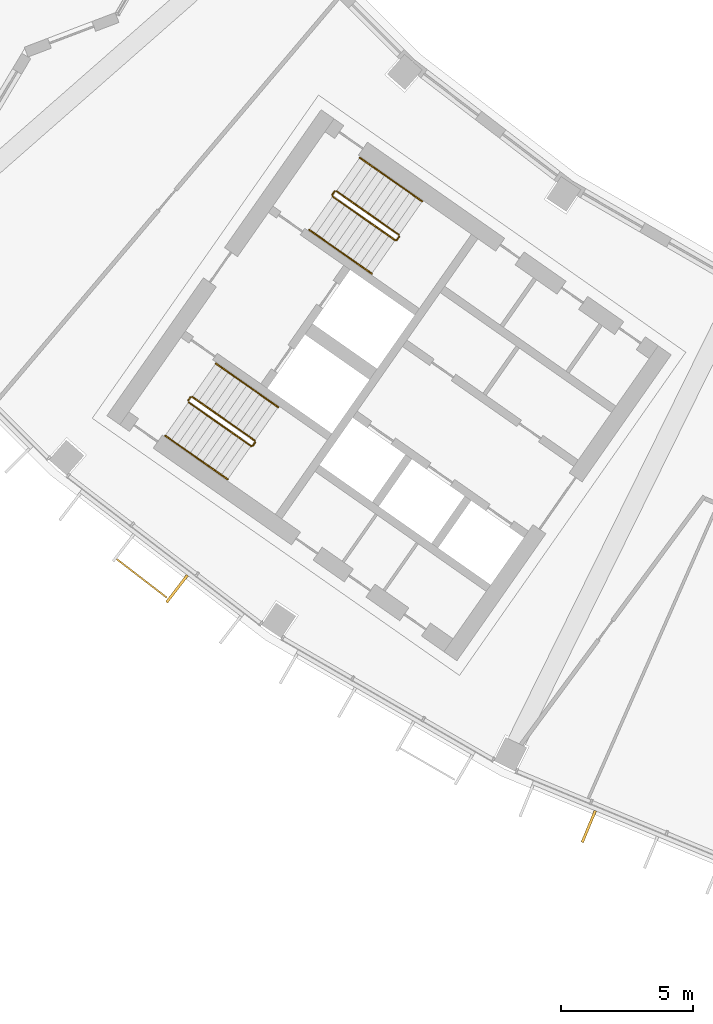
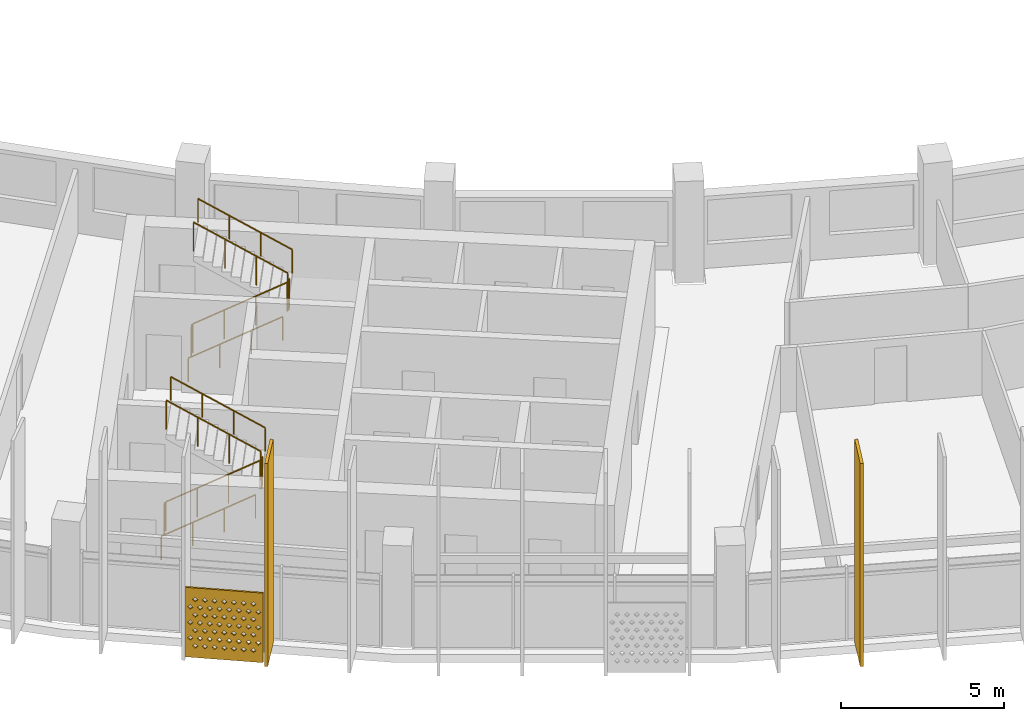
# One storey, part 22 of 29: 10 railings, 3 shading devices.
"""IFC4 building model written with IfcOpenShell, lengths in metres."""

from ifc_helpers import new_model, si_unit, direction, frame, origin, origin_2d, place, context, subcontext, project, spatial, polyline, rectangle, circle, outline, extrude, material, material_profile, profile_set, type_object, element, save


model = new_model("IFC4")

# Units and contexts
model_context = context("Model", 3, precision=1e-05, world=origin(), true_north=direction((0.0, 1.0)))
body_context = subcontext(model_context, "Body", "Model", "MODEL_VIEW")
ifc_project = project(units=[si_unit("LENGTHUNIT", "METRE"), si_unit("AREAUNIT", "SQUARE_METRE"), si_unit("VOLUMEUNIT", "CUBIC_METRE"), si_unit("PLANEANGLEUNIT", "RADIAN"), si_unit("MASSUNIT", "GRAM", prefix="KILO")], contexts=[model_context])

# Site, building, storey
site_placement = place(None, origin())
site = spatial("IfcSite", under=ifc_project, at=site_placement, CompositionType="ELEMENT")
building_placement = place(site_placement, origin())
building = spatial("IfcBuilding", under=site, at=building_placement, Name="Qamariyya Broadcast Tower", CompositionType="ELEMENT")
storey_placement = place(building_placement, frame((0.0, 0.0, 258.10009765625)))
storey = spatial("IfcBuildingStorey", under=building, at=storey_placement, Name="L62", CompositionType="ELEMENT", Elevation=258.10009765625)

# Shading device
ifc_material_1 = material(Name="Perforated glazed terracotta", Category="masonry")
ifc_material_profile_1 = material_profile(ifc_material_1, outline(polyline([(-1.199951171875, -1.300048828125), (1.199951171875, -1.300048828125), (1.199951171875, 1.300048828125), (-1.199951171875, 1.300048828125), (-1.199951171875, -1.300048828125)]), holes=[polyline([(-0.81494140625, -0.86669921875), (-0.89990234375, -0.78173828125), (-0.985107421875, -0.86669921875), (-0.89990234375, -0.95166015625), (-0.81494140625, -0.86669921875)]), polyline([(-0.514892578125, -0.86669921875), (-0.60009765625, -0.78173828125), (-0.68505859375, -0.86669921875), (-0.60009765625, -0.95166015625), (-0.514892578125, -0.86669921875)]), polyline([(-0.215087890625, -0.86669921875), (-0.300048828125, -0.78173828125), (-0.385009765625, -0.86669921875), (-0.300048828125, -0.95166015625), (-0.215087890625, -0.86669921875)]), polyline([(0.0849609375, -0.86669921875), (0.0, -0.78173828125), (-0.0849609375, -0.86669921875), (0.0, -0.95166015625), (0.0849609375, -0.86669921875)]), polyline([(0.385009765625, -0.86669921875), (0.300048828125, -0.78173828125), (0.215087890625, -0.86669921875), (0.300048828125, -0.95166015625), (0.385009765625, -0.86669921875)]), polyline([(0.68505859375, -0.86669921875), (0.60009765625, -0.78173828125), (0.514892578125, -0.86669921875), (0.60009765625, -0.95166015625), (0.68505859375, -0.86669921875)]), polyline([(0.985107421875, -0.86669921875), (0.89990234375, -0.78173828125), (0.81494140625, -0.86669921875), (0.89990234375, -0.95166015625), (0.985107421875, -0.86669921875)]), polyline([(-0.965087890625, -0.577880859375), (-1.050048828125, -0.49267578125), (-1.135009765625, -0.577880859375), (-1.050048828125, -0.662841796875), (-0.965087890625, -0.577880859375)]), polyline([(-0.6650390625, -0.577880859375), (-0.75, -0.49267578125), (-0.8349609375, -0.577880859375), (-0.75, -0.662841796875), (-0.6650390625, -0.577880859375)]), polyline([(-0.364990234375, -0.577880859375), (-0.449951171875, -0.49267578125), (-0.534912109375, -0.577880859375), (-0.449951171875, -0.662841796875), (-0.364990234375, -0.577880859375)]), polyline([(-0.06494140625, -0.577880859375), (-0.14990234375, -0.49267578125), (-0.235107421875, -0.577880859375), (-0.14990234375, -0.662841796875), (-0.06494140625, -0.577880859375)]), polyline([(0.235107421875, -0.577880859375), (0.14990234375, -0.49267578125), (0.06494140625, -0.577880859375), (0.14990234375, -0.662841796875), (0.235107421875, -0.577880859375)]), polyline([(0.534912109375, -0.577880859375), (0.449951171875, -0.49267578125), (0.364990234375, -0.577880859375), (0.449951171875, -0.662841796875), (0.534912109375, -0.577880859375)]), polyline([(0.8349609375, -0.577880859375), (0.75, -0.49267578125), (0.6650390625, -0.577880859375), (0.75, -0.662841796875), (0.8349609375, -0.577880859375)]), polyline([(1.135009765625, -0.577880859375), (1.050048828125, -0.49267578125), (0.965087890625, -0.577880859375), (1.050048828125, -0.662841796875), (1.135009765625, -0.577880859375)]), polyline([(-0.81494140625, -0.288818359375), (-0.89990234375, -0.203857421875), (-0.985107421875, -0.288818359375), (-0.89990234375, -0.373779296875), (-0.81494140625, -0.288818359375)]), polyline([(-0.514892578125, -0.288818359375), (-0.60009765625, -0.203857421875), (-0.68505859375, -0.288818359375), (-0.60009765625, -0.373779296875), (-0.514892578125, -0.288818359375)]), polyline([(-0.215087890625, -0.288818359375), (-0.300048828125, -0.203857421875), (-0.385009765625, -0.288818359375), (-0.300048828125, -0.373779296875), (-0.215087890625, -0.288818359375)]), polyline([(0.0849609375, -0.288818359375), (0.0, -0.203857421875), (-0.0849609375, -0.288818359375), (0.0, -0.373779296875), (0.0849609375, -0.288818359375)]), polyline([(0.385009765625, -0.288818359375), (0.300048828125, -0.203857421875), (0.215087890625, -0.288818359375), (0.300048828125, -0.373779296875), (0.385009765625, -0.288818359375)]), polyline([(0.68505859375, -0.288818359375), (0.60009765625, -0.203857421875), (0.514892578125, -0.288818359375), (0.60009765625, -0.373779296875), (0.68505859375, -0.288818359375)]), polyline([(0.985107421875, -0.288818359375), (0.89990234375, -0.203857421875), (0.81494140625, -0.288818359375), (0.89990234375, -0.373779296875), (0.985107421875, -0.288818359375)]), polyline([(-0.965087890625, 0.0), (-1.050048828125, 0.0849609375), (-1.135009765625, 0.0), (-1.050048828125, -0.0849609375), (-0.965087890625, 0.0)]), polyline([(-0.6650390625, 0.0), (-0.75, 0.0849609375), (-0.8349609375, 0.0), (-0.75, -0.0849609375), (-0.6650390625, 0.0)]), polyline([(-0.364990234375, 0.0), (-0.449951171875, 0.0849609375), (-0.534912109375, 0.0), (-0.449951171875, -0.0849609375), (-0.364990234375, 0.0)]), polyline([(-0.06494140625, 0.0), (-0.14990234375, 0.0849609375), (-0.235107421875, 0.0), (-0.14990234375, -0.0849609375), (-0.06494140625, 0.0)]), polyline([(0.235107421875, 0.0), (0.14990234375, 0.0849609375), (0.06494140625, 0.0), (0.14990234375, -0.0849609375), (0.235107421875, 0.0)]), polyline([(0.534912109375, 0.0), (0.449951171875, 0.0849609375), (0.364990234375, 0.0), (0.449951171875, -0.0849609375), (0.534912109375, 0.0)]), polyline([(0.8349609375, 0.0), (0.75, 0.0849609375), (0.6650390625, 0.0), (0.75, -0.0849609375), (0.8349609375, 0.0)]), polyline([(1.135009765625, 0.0), (1.050048828125, 0.0849609375), (0.965087890625, 0.0), (1.050048828125, -0.0849609375), (1.135009765625, 0.0)]), polyline([(-0.81494140625, 0.288818359375), (-0.89990234375, 0.373779296875), (-0.985107421875, 0.288818359375), (-0.89990234375, 0.203857421875), (-0.81494140625, 0.288818359375)]), polyline([(-0.514892578125, 0.288818359375), (-0.60009765625, 0.373779296875), (-0.68505859375, 0.288818359375), (-0.60009765625, 0.203857421875), (-0.514892578125, 0.288818359375)]), polyline([(-0.215087890625, 0.288818359375), (-0.300048828125, 0.373779296875), (-0.385009765625, 0.288818359375), (-0.300048828125, 0.203857421875), (-0.215087890625, 0.288818359375)]), polyline([(0.0849609375, 0.288818359375), (0.0, 0.373779296875), (-0.0849609375, 0.288818359375), (0.0, 0.203857421875), (0.0849609375, 0.288818359375)]), polyline([(0.385009765625, 0.288818359375), (0.300048828125, 0.373779296875), (0.215087890625, 0.288818359375), (0.300048828125, 0.203857421875), (0.385009765625, 0.288818359375)]), polyline([(0.68505859375, 0.288818359375), (0.60009765625, 0.373779296875), (0.514892578125, 0.288818359375), (0.60009765625, 0.203857421875), (0.68505859375, 0.288818359375)]), polyline([(0.985107421875, 0.288818359375), (0.89990234375, 0.373779296875), (0.81494140625, 0.288818359375), (0.89990234375, 0.203857421875), (0.985107421875, 0.288818359375)]), polyline([(-0.965087890625, 0.577880859375), (-1.050048828125, 0.662841796875), (-1.135009765625, 0.577880859375), (-1.050048828125, 0.49267578125), (-0.965087890625, 0.577880859375)]), polyline([(-0.6650390625, 0.577880859375), (-0.75, 0.662841796875), (-0.8349609375, 0.577880859375), (-0.75, 0.49267578125), (-0.6650390625, 0.577880859375)]), polyline([(-0.364990234375, 0.577880859375), (-0.449951171875, 0.662841796875), (-0.534912109375, 0.577880859375), (-0.449951171875, 0.49267578125), (-0.364990234375, 0.577880859375)]), polyline([(-0.06494140625, 0.577880859375), (-0.14990234375, 0.662841796875), (-0.235107421875, 0.577880859375), (-0.14990234375, 0.49267578125), (-0.06494140625, 0.577880859375)]), polyline([(0.235107421875, 0.577880859375), (0.14990234375, 0.662841796875), (0.06494140625, 0.577880859375), (0.14990234375, 0.49267578125), (0.235107421875, 0.577880859375)]), polyline([(0.534912109375, 0.577880859375), (0.449951171875, 0.662841796875), (0.364990234375, 0.577880859375), (0.449951171875, 0.49267578125), (0.534912109375, 0.577880859375)]), polyline([(0.8349609375, 0.577880859375), (0.75, 0.662841796875), (0.6650390625, 0.577880859375), (0.75, 0.49267578125), (0.8349609375, 0.577880859375)]), polyline([(1.135009765625, 0.577880859375), (1.050048828125, 0.662841796875), (0.965087890625, 0.577880859375), (1.050048828125, 0.49267578125), (1.135009765625, 0.577880859375)]), polyline([(-0.81494140625, 0.86669921875), (-0.89990234375, 0.95166015625), (-0.985107421875, 0.86669921875), (-0.89990234375, 0.78173828125), (-0.81494140625, 0.86669921875)]), polyline([(-0.514892578125, 0.86669921875), (-0.60009765625, 0.95166015625), (-0.68505859375, 0.86669921875), (-0.60009765625, 0.78173828125), (-0.514892578125, 0.86669921875)]), polyline([(-0.215087890625, 0.86669921875), (-0.300048828125, 0.95166015625), (-0.385009765625, 0.86669921875), (-0.300048828125, 0.78173828125), (-0.215087890625, 0.86669921875)]), polyline([(0.0849609375, 0.86669921875), (0.0, 0.95166015625), (-0.0849609375, 0.86669921875), (0.0, 0.78173828125), (0.0849609375, 0.86669921875)]), polyline([(0.385009765625, 0.86669921875), (0.300048828125, 0.95166015625), (0.215087890625, 0.86669921875), (0.300048828125, 0.78173828125), (0.385009765625, 0.86669921875)]), polyline([(0.68505859375, 0.86669921875), (0.60009765625, 0.95166015625), (0.514892578125, 0.86669921875), (0.60009765625, 0.78173828125), (0.68505859375, 0.86669921875)]), polyline([(0.985107421875, 0.86669921875), (0.89990234375, 0.95166015625), (0.81494140625, 0.86669921875), (0.89990234375, 0.78173828125), (0.985107421875, 0.86669921875)])]))
ifc_profile_set_1 = profile_set([ifc_material_profile_1], Name="Perforated glazed terracotta")
shading_device_type_1 = type_object("IfcShadingDeviceType", Name="Perforated terracotta screen 2400 x 2600", PredefinedType="USERDEFINED", material=ifc_profile_set_1)
shading_device_placement = place(storey_placement, frame((-48.39208984375, -63.014892578125, 1.349853515625), z_axis=(-0.60971076085, -0.792623989105, 0.0), x_axis=(0.792623989105, -0.60971076085, 0.0)))
element("IfcShadingDevice", 1, at=shading_device_placement, inside=storey, type_object=shading_device_type_1, Name="e-scr-L62-02-1", ObjectType="SCREEN", PredefinedType="USERDEFINED", context=body_context, shape_type="SweptSolid", body=[
    extrude(outline(polyline([(-1.199951171875, -1.300048828125), (1.199951171875, -1.300048828125), (1.199951171875, 1.300048828125), (-1.199951171875, 1.300048828125), (-1.199951171875, -1.300048828125)]), holes=[polyline([(-0.81494140625, -0.86669921875), (-0.89990234375, -0.78173828125), (-0.985107421875, -0.86669921875), (-0.89990234375, -0.95166015625), (-0.81494140625, -0.86669921875)]), polyline([(-0.514892578125, -0.86669921875), (-0.60009765625, -0.78173828125), (-0.68505859375, -0.86669921875), (-0.60009765625, -0.95166015625), (-0.514892578125, -0.86669921875)]), polyline([(-0.215087890625, -0.86669921875), (-0.300048828125, -0.78173828125), (-0.385009765625, -0.86669921875), (-0.300048828125, -0.95166015625), (-0.215087890625, -0.86669921875)]), polyline([(0.0849609375, -0.86669921875), (0.0, -0.78173828125), (-0.0849609375, -0.86669921875), (0.0, -0.95166015625), (0.0849609375, -0.86669921875)]), polyline([(0.385009765625, -0.86669921875), (0.300048828125, -0.78173828125), (0.215087890625, -0.86669921875), (0.300048828125, -0.95166015625), (0.385009765625, -0.86669921875)]), polyline([(0.68505859375, -0.86669921875), (0.60009765625, -0.78173828125), (0.514892578125, -0.86669921875), (0.60009765625, -0.95166015625), (0.68505859375, -0.86669921875)]), polyline([(0.985107421875, -0.86669921875), (0.89990234375, -0.78173828125), (0.81494140625, -0.86669921875), (0.89990234375, -0.95166015625), (0.985107421875, -0.86669921875)]), polyline([(-0.965087890625, -0.577880859375), (-1.050048828125, -0.49267578125), (-1.135009765625, -0.577880859375), (-1.050048828125, -0.662841796875), (-0.965087890625, -0.577880859375)]), polyline([(-0.6650390625, -0.577880859375), (-0.75, -0.49267578125), (-0.8349609375, -0.577880859375), (-0.75, -0.662841796875), (-0.6650390625, -0.577880859375)]), polyline([(-0.364990234375, -0.577880859375), (-0.449951171875, -0.49267578125), (-0.534912109375, -0.577880859375), (-0.449951171875, -0.662841796875), (-0.364990234375, -0.577880859375)]), polyline([(-0.06494140625, -0.577880859375), (-0.14990234375, -0.49267578125), (-0.235107421875, -0.577880859375), (-0.14990234375, -0.662841796875), (-0.06494140625, -0.577880859375)]), polyline([(0.235107421875, -0.577880859375), (0.14990234375, -0.49267578125), (0.06494140625, -0.577880859375), (0.14990234375, -0.662841796875), (0.235107421875, -0.577880859375)]), polyline([(0.534912109375, -0.577880859375), (0.449951171875, -0.49267578125), (0.364990234375, -0.577880859375), (0.449951171875, -0.662841796875), (0.534912109375, -0.577880859375)]), polyline([(0.8349609375, -0.577880859375), (0.75, -0.49267578125), (0.6650390625, -0.577880859375), (0.75, -0.662841796875), (0.8349609375, -0.577880859375)]), polyline([(1.135009765625, -0.577880859375), (1.050048828125, -0.49267578125), (0.965087890625, -0.577880859375), (1.050048828125, -0.662841796875), (1.135009765625, -0.577880859375)]), polyline([(-0.81494140625, -0.288818359375), (-0.89990234375, -0.203857421875), (-0.985107421875, -0.288818359375), (-0.89990234375, -0.373779296875), (-0.81494140625, -0.288818359375)]), polyline([(-0.514892578125, -0.288818359375), (-0.60009765625, -0.203857421875), (-0.68505859375, -0.288818359375), (-0.60009765625, -0.373779296875), (-0.514892578125, -0.288818359375)]), polyline([(-0.215087890625, -0.288818359375), (-0.300048828125, -0.203857421875), (-0.385009765625, -0.288818359375), (-0.300048828125, -0.373779296875), (-0.215087890625, -0.288818359375)]), polyline([(0.0849609375, -0.288818359375), (0.0, -0.203857421875), (-0.0849609375, -0.288818359375), (0.0, -0.373779296875), (0.0849609375, -0.288818359375)]), polyline([(0.385009765625, -0.288818359375), (0.300048828125, -0.203857421875), (0.215087890625, -0.288818359375), (0.300048828125, -0.373779296875), (0.385009765625, -0.288818359375)]), polyline([(0.68505859375, -0.288818359375), (0.60009765625, -0.203857421875), (0.514892578125, -0.288818359375), (0.60009765625, -0.373779296875), (0.68505859375, -0.288818359375)]), polyline([(0.985107421875, -0.288818359375), (0.89990234375, -0.203857421875), (0.81494140625, -0.288818359375), (0.89990234375, -0.373779296875), (0.985107421875, -0.288818359375)]), polyline([(-0.965087890625, 0.0), (-1.050048828125, 0.0849609375), (-1.135009765625, 0.0), (-1.050048828125, -0.0849609375), (-0.965087890625, 0.0)]), polyline([(-0.6650390625, 0.0), (-0.75, 0.0849609375), (-0.8349609375, 0.0), (-0.75, -0.0849609375), (-0.6650390625, 0.0)]), polyline([(-0.364990234375, 0.0), (-0.449951171875, 0.0849609375), (-0.534912109375, 0.0), (-0.449951171875, -0.0849609375), (-0.364990234375, 0.0)]), polyline([(-0.06494140625, 0.0), (-0.14990234375, 0.0849609375), (-0.235107421875, 0.0), (-0.14990234375, -0.0849609375), (-0.06494140625, 0.0)]), polyline([(0.235107421875, 0.0), (0.14990234375, 0.0849609375), (0.06494140625, 0.0), (0.14990234375, -0.0849609375), (0.235107421875, 0.0)]), polyline([(0.534912109375, 0.0), (0.449951171875, 0.0849609375), (0.364990234375, 0.0), (0.449951171875, -0.0849609375), (0.534912109375, 0.0)]), polyline([(0.8349609375, 0.0), (0.75, 0.0849609375), (0.6650390625, 0.0), (0.75, -0.0849609375), (0.8349609375, 0.0)]), polyline([(1.135009765625, 0.0), (1.050048828125, 0.0849609375), (0.965087890625, 0.0), (1.050048828125, -0.0849609375), (1.135009765625, 0.0)]), polyline([(-0.81494140625, 0.288818359375), (-0.89990234375, 0.373779296875), (-0.985107421875, 0.288818359375), (-0.89990234375, 0.203857421875), (-0.81494140625, 0.288818359375)]), polyline([(-0.514892578125, 0.288818359375), (-0.60009765625, 0.373779296875), (-0.68505859375, 0.288818359375), (-0.60009765625, 0.203857421875), (-0.514892578125, 0.288818359375)]), polyline([(-0.215087890625, 0.288818359375), (-0.300048828125, 0.373779296875), (-0.385009765625, 0.288818359375), (-0.300048828125, 0.203857421875), (-0.215087890625, 0.288818359375)]), polyline([(0.0849609375, 0.288818359375), (0.0, 0.373779296875), (-0.0849609375, 0.288818359375), (0.0, 0.203857421875), (0.0849609375, 0.288818359375)]), polyline([(0.385009765625, 0.288818359375), (0.300048828125, 0.373779296875), (0.215087890625, 0.288818359375), (0.300048828125, 0.203857421875), (0.385009765625, 0.288818359375)]), polyline([(0.68505859375, 0.288818359375), (0.60009765625, 0.373779296875), (0.514892578125, 0.288818359375), (0.60009765625, 0.203857421875), (0.68505859375, 0.288818359375)]), polyline([(0.985107421875, 0.288818359375), (0.89990234375, 0.373779296875), (0.81494140625, 0.288818359375), (0.89990234375, 0.203857421875), (0.985107421875, 0.288818359375)]), polyline([(-0.965087890625, 0.577880859375), (-1.050048828125, 0.662841796875), (-1.135009765625, 0.577880859375), (-1.050048828125, 0.49267578125), (-0.965087890625, 0.577880859375)]), polyline([(-0.6650390625, 0.577880859375), (-0.75, 0.662841796875), (-0.8349609375, 0.577880859375), (-0.75, 0.49267578125), (-0.6650390625, 0.577880859375)]), polyline([(-0.364990234375, 0.577880859375), (-0.449951171875, 0.662841796875), (-0.534912109375, 0.577880859375), (-0.449951171875, 0.49267578125), (-0.364990234375, 0.577880859375)]), polyline([(-0.06494140625, 0.577880859375), (-0.14990234375, 0.662841796875), (-0.235107421875, 0.577880859375), (-0.14990234375, 0.49267578125), (-0.06494140625, 0.577880859375)]), polyline([(0.235107421875, 0.577880859375), (0.14990234375, 0.662841796875), (0.06494140625, 0.577880859375), (0.14990234375, 0.49267578125), (0.235107421875, 0.577880859375)]), polyline([(0.534912109375, 0.577880859375), (0.449951171875, 0.662841796875), (0.364990234375, 0.577880859375), (0.449951171875, 0.49267578125), (0.534912109375, 0.577880859375)]), polyline([(0.8349609375, 0.577880859375), (0.75, 0.662841796875), (0.6650390625, 0.577880859375), (0.75, 0.49267578125), (0.8349609375, 0.577880859375)]), polyline([(1.135009765625, 0.577880859375), (1.050048828125, 0.662841796875), (0.965087890625, 0.577880859375), (1.050048828125, 0.49267578125), (1.135009765625, 0.577880859375)]), polyline([(-0.81494140625, 0.86669921875), (-0.89990234375, 0.95166015625), (-0.985107421875, 0.86669921875), (-0.89990234375, 0.78173828125), (-0.81494140625, 0.86669921875)]), polyline([(-0.514892578125, 0.86669921875), (-0.60009765625, 0.95166015625), (-0.68505859375, 0.86669921875), (-0.60009765625, 0.78173828125), (-0.514892578125, 0.86669921875)]), polyline([(-0.215087890625, 0.86669921875), (-0.300048828125, 0.95166015625), (-0.385009765625, 0.86669921875), (-0.300048828125, 0.78173828125), (-0.215087890625, 0.86669921875)]), polyline([(0.0849609375, 0.86669921875), (0.0, 0.95166015625), (-0.0849609375, 0.86669921875), (0.0, 0.78173828125), (0.0849609375, 0.86669921875)]), polyline([(0.385009765625, 0.86669921875), (0.300048828125, 0.95166015625), (0.215087890625, 0.86669921875), (0.300048828125, 0.78173828125), (0.385009765625, 0.86669921875)]), polyline([(0.68505859375, 0.86669921875), (0.60009765625, 0.95166015625), (0.514892578125, 0.86669921875), (0.60009765625, 0.78173828125), (0.68505859375, 0.86669921875)]), polyline([(0.985107421875, 0.86669921875), (0.89990234375, 0.95166015625), (0.81494140625, 0.86669921875), (0.89990234375, 0.78173828125), (0.985107421875, 0.86669921875)])]), origin(), (0.0, 0.0, 1.0), 0.06005859375),
])

# Railings
ifc_material_2 = material(Name="Painted steel", Category="steel")
railing_type_1 = type_object("IfcRailingType", Name="Stair guard", PredefinedType="GUARDRAIL", material=ifc_material_2)
railing_1_placement = place(storey_placement, frame((-41.146728515625, -48.52490234375, 0.172607421875)))
element("IfcRailing", 2, at=railing_1_placement, inside=storey, type_object=railing_type_1, Name="L62 ST-W2 stair guard 1", PredefinedType="GUARDRAIL", context=body_context, shape_type="SweptSolid", body=[
    extrude(circle(Radius=0.02392578125, at=origin_2d()), frame((0.0, 0.0, 1.076171875), z_axis=(0.703770094002, -0.492783725636, 0.511734163933), x_axis=(0.573575343427, 0.819152809562, 0.0)), (0.0, 0.0, 1.0), 3.37548828125),
    extrude(circle(Radius=0.02392578125, at=origin_2d()), frame((2.37548828125, -1.663330078125, 2.80322265625), z_axis=(0.985059694769, 0.172213233351, 0.0), x_axis=(-0.172213233351, 0.985059694769, 0.0)), (0.0, 0.0, 1.0), 0.07080078125),
    extrude(circle(Radius=0.02392578125, at=origin_2d()), frame((2.4453125, -1.651123046875, 2.80322265625), z_axis=(0.572588637393, 0.819842821722, 0.0), x_axis=(-0.819842821722, 0.572588637393, 0.0)), (0.0, 0.0, 1.0), 0.150146484375),
    extrude(circle(Radius=0.02099609375, at=origin_2d()), origin(), (0.0, 0.0, 1.0), 1.052001953125),
    extrude(circle(Radius=0.02099609375, at=origin_2d()), frame((0.791748046875, -0.554443359375, 0.57568359375)), (0.0, 0.0, 1.0), 1.052001953125),
    extrude(circle(Radius=0.02099609375, at=origin_2d()), frame((1.583740234375, -1.10888671875, 1.151611328125)), (0.0, 0.0, 1.0), 1.052001953125),
    extrude(circle(Radius=0.02099609375, at=origin_2d()), frame((2.37548828125, -1.663330078125, 1.727294921875)), (0.0, 0.0, 1.0), 1.052001953125),
    extrude(circle(Radius=0.02099609375, at=origin_2d()), frame((2.4453125, -1.651123046875, 1.727294921875)), (0.0, 0.0, 1.0), 1.052001953125),
    extrude(circle(Radius=0.02099609375, at=origin_2d()), frame((2.53125, -1.528076171875, 1.727294921875)), (0.0, 0.0, 1.0), 1.052001953125),
])
railing_2_placement = place(storey_placement, frame((-38.627685546875, -49.9833984375, 2.072509765625)))
element("IfcRailing", 3, at=railing_2_placement, inside=storey, type_object=railing_type_1, Name="L62 ST-W2 stair guard 2", PredefinedType="GUARDRAIL", context=body_context, shape_type="SweptSolid", body=[
    extrude(circle(Radius=0.02392578125, at=origin_2d()), frame((0.0, 0.0, 1.076171875), z_axis=(-0.703770094002, 0.492783725636, 0.511734163933), x_axis=(-0.573575343427, -0.819152809562, 0.0)), (0.0, 0.0, 1.0), 3.37548828125),
    extrude(circle(Radius=0.02099609375, at=origin_2d()), origin(), (0.0, 0.0, 1.0), 1.052001953125),
    extrude(circle(Radius=0.02099609375, at=origin_2d()), frame((-0.791748046875, 0.554443359375, 0.57568359375)), (0.0, 0.0, 1.0), 1.052001953125),
    extrude(circle(Radius=0.02099609375, at=origin_2d()), frame((-1.583740234375, 1.10888671875, 1.151611328125)), (0.0, 0.0, 1.0), 1.052001953125),
    extrude(circle(Radius=0.02099609375, at=origin_2d()), frame((-2.37548828125, 1.663330078125, 1.727294921875)), (0.0, 0.0, 1.0), 1.052001953125),
])
railing_3_placement = place(storey_placement, frame((-41.158935546875, -48.455322265625, 0.0)))
element("IfcRailing", 4, at=railing_3_placement, inside=storey, type_object=railing_type_1, Name="L62 ST-W2 stair guard 3", PredefinedType="GUARDRAIL", context=body_context, shape_type="SweptSolid", body=[
    extrude(circle(Radius=0.02392578125, at=origin_2d()), frame((0.0, 0.0, 1.076171875), z_axis=(0.572588637393, 0.819842821722, 0.0), x_axis=(-0.819842821722, 0.572588637393, 0.0)), (0.0, 0.0, 1.0), 0.150146484375),
    extrude(circle(Radius=0.02099609375, at=origin_2d()), origin(), (0.0, 0.0, 1.0), 1.052001953125),
    extrude(circle(Radius=0.02099609375, at=origin_2d()), frame((0.0859375, 0.123046875, 0.0)), (0.0, 0.0, 1.0), 1.052001953125),
])
railing_4_placement = place(storey_placement, frame((-46.624267578125, -56.34765625, 0.172607421875)))
element("IfcRailing", 5, at=railing_4_placement, inside=storey, type_object=railing_type_1, Name="L62 ST-W1 stair guard 1", PredefinedType="GUARDRAIL", context=body_context, shape_type="SweptSolid", body=[
    extrude(circle(Radius=0.02392578125, at=origin_2d()), frame((0.0, 0.0, 1.076171875), z_axis=(0.703745009021, -0.492838488332, 0.511715923826), x_axis=(0.573631830683, 0.819113253969, 0.0)), (0.0, 0.0, 1.0), 3.37548828125),
    extrude(circle(Radius=0.02392578125, at=origin_2d()), frame((2.37548828125, -1.66357421875, 2.80322265625), z_axis=(0.984363469884, 0.176149252506, 0.0), x_axis=(-0.176149252506, 0.984363469884, 0.0)), (0.0, 0.0, 1.0), 0.07080078125),
    extrude(circle(Radius=0.02392578125, at=origin_2d()), frame((2.445068359375, -1.651123046875, 2.80322265625), z_axis=(0.574444878118, 0.818543268254, 0.0), x_axis=(-0.818543268254, 0.574444878118, 0.0)), (0.0, 0.0, 1.0), 0.150146484375),
    extrude(circle(Radius=0.02099609375, at=origin_2d()), origin(), (0.0, 0.0, 1.0), 1.052001953125),
    extrude(circle(Radius=0.02099609375, at=origin_2d()), frame((0.791748046875, -0.554443359375, 0.57568359375)), (0.0, 0.0, 1.0), 1.052001953125),
    extrude(circle(Radius=0.02099609375, at=origin_2d()), frame((1.583740234375, -1.109130859375, 1.151611328125)), (0.0, 0.0, 1.0), 1.052001953125),
    extrude(circle(Radius=0.02099609375, at=origin_2d()), frame((2.37548828125, -1.66357421875, 1.727294921875)), (0.0, 0.0, 1.0), 1.052001953125),
    extrude(circle(Radius=0.02099609375, at=origin_2d()), frame((2.445068359375, -1.651123046875, 1.727294921875)), (0.0, 0.0, 1.0), 1.052001953125),
    extrude(circle(Radius=0.02099609375, at=origin_2d()), frame((2.53125, -1.5283203125, 1.727294921875)), (0.0, 0.0, 1.0), 1.052001953125),
])
railing_5_placement = place(storey_placement, frame((-44.10546875, -57.806396484375, 2.072509765625)))
element("IfcRailing", 6, at=railing_5_placement, inside=storey, type_object=railing_type_1, Name="L62 ST-W1 stair guard 2", PredefinedType="GUARDRAIL", context=body_context, shape_type="SweptSolid", body=[
    extrude(circle(Radius=0.02392578125, at=origin_2d()), frame((0.0, 0.0, 1.076171875), z_axis=(-0.703770094002, 0.492783725636, 0.511734163933), x_axis=(-0.573575343427, -0.819152809562, 0.0)), (0.0, 0.0, 1.0), 3.37548828125),
    extrude(circle(Radius=0.02099609375, at=origin_2d()), origin(), (0.0, 0.0, 1.0), 1.052001953125),
    extrude(circle(Radius=0.02099609375, at=origin_2d()), frame((-0.791748046875, 0.554443359375, 0.57568359375)), (0.0, 0.0, 1.0), 1.052001953125),
    extrude(circle(Radius=0.02099609375, at=origin_2d()), frame((-1.583740234375, 1.10888671875, 1.151611328125)), (0.0, 0.0, 1.0), 1.052001953125),
    extrude(circle(Radius=0.02099609375, at=origin_2d()), frame((-2.37548828125, 1.663330078125, 1.727294921875)), (0.0, 0.0, 1.0), 1.052001953125),
])
railing_6_placement = place(storey_placement, frame((-46.63671875, -56.278076171875, 0.0)))
element("IfcRailing", 7, at=railing_6_placement, inside=storey, type_object=railing_type_1, Name="L62 ST-W1 stair guard 3", PredefinedType="GUARDRAIL", context=body_context, shape_type="SweptSolid", body=[
    extrude(circle(Radius=0.02392578125, at=origin_2d()), frame((0.0, 0.0, 1.076171875), z_axis=(0.574444878118, 0.818543268254, 0.0), x_axis=(-0.818543268254, 0.574444878118, 0.0)), (0.0, 0.0, 1.0), 0.150146484375),
    extrude(circle(Radius=0.02099609375, at=origin_2d()), origin(), (0.0, 0.0, 1.0), 1.052001953125),
    extrude(circle(Radius=0.02099609375, at=origin_2d()), frame((0.086181640625, 0.122802734375, 0.0)), (0.0, 0.0, 1.0), 1.052001953125),
])
ifc_material_3 = material(Name="Stainless steel", Category="steel")
railing_type_2 = type_object("IfcRailingType", Name="Stair handrail", PredefinedType="HANDRAIL", material=ifc_material_3)
railing_7_placement = place(storey_placement, frame((-42.03564453125, -49.79443359375, 0.172607421875)))
element("IfcRailing", 8, at=railing_7_placement, inside=storey, type_object=railing_type_2, Name="L62 ST-W2 stair handrail 1", PredefinedType="HANDRAIL", context=body_context, shape_type="SweptSolid", body=[
    extrude(circle(Radius=0.02392578125, at=origin_2d()), frame((0.0, 0.0, 0.8759765625), z_axis=(0.703745009021, -0.492838488332, 0.511715923826), x_axis=(0.573631830683, 0.819113253969, 0.0)), (0.0, 0.0, 1.0), 3.37548828125),
    extrude(circle(Radius=0.02099609375, at=origin_2d()), origin(), (0.0, 0.0, 1.0), 0.851806640625),
    extrude(circle(Radius=0.02099609375, at=origin_2d()), frame((0.791748046875, -0.554443359375, 0.57568359375)), (0.0, 0.0, 1.0), 0.851806640625),
    extrude(circle(Radius=0.02099609375, at=origin_2d()), frame((1.583740234375, -1.109130859375, 1.151611328125)), (0.0, 0.0, 1.0), 0.851806640625),
    extrude(circle(Radius=0.02099609375, at=origin_2d()), frame((2.37548828125, -1.66357421875, 1.727294921875)), (0.0, 0.0, 1.0), 0.851806640625),
])
railing_8_placement = place(storey_placement, frame((-37.73876953125, -48.7138671875, 2.072509765625)))
element("IfcRailing", 9, at=railing_8_placement, inside=storey, type_object=railing_type_2, Name="L62 ST-W2 stair handrail 2", PredefinedType="HANDRAIL", context=body_context, shape_type="SweptSolid", body=[
    extrude(circle(Radius=0.02392578125, at=origin_2d()), frame((0.0, 0.0, 0.8759765625), z_axis=(-0.703745009021, 0.492838488332, 0.511715923826), x_axis=(-0.573631830683, -0.819113253969, 0.0)), (0.0, 0.0, 1.0), 3.37548828125),
    extrude(circle(Radius=0.02099609375, at=origin_2d()), origin(), (0.0, 0.0, 1.0), 0.851806640625),
    extrude(circle(Radius=0.02099609375, at=origin_2d()), frame((-0.791748046875, 0.554443359375, 0.57568359375)), (0.0, 0.0, 1.0), 0.851806640625),
    extrude(circle(Radius=0.02099609375, at=origin_2d()), frame((-1.583740234375, 1.109130859375, 1.151611328125)), (0.0, 0.0, 1.0), 0.851806640625),
    extrude(circle(Radius=0.02099609375, at=origin_2d()), frame((-2.37548828125, 1.66357421875, 1.727294921875)), (0.0, 0.0, 1.0), 0.851806640625),
])
railing_9_placement = place(storey_placement, frame((-47.513427734375, -57.617431640625, 0.172607421875)))
element("IfcRailing", 10, at=railing_9_placement, inside=storey, type_object=railing_type_2, Name="L62 ST-W1 stair handrail 1", PredefinedType="HANDRAIL", context=body_context, shape_type="SweptSolid", body=[
    extrude(circle(Radius=0.02392578125, at=origin_2d()), frame((0.0, 0.0, 0.8759765625), z_axis=(0.703770094002, -0.492783725636, 0.511734163933), x_axis=(0.573575343427, 0.819152809562, 0.0)), (0.0, 0.0, 1.0), 3.37548828125),
    extrude(circle(Radius=0.02099609375, at=origin_2d()), origin(), (0.0, 0.0, 1.0), 0.851806640625),
    extrude(circle(Radius=0.02099609375, at=origin_2d()), frame((0.791748046875, -0.554443359375, 0.57568359375)), (0.0, 0.0, 1.0), 0.851806640625),
    extrude(circle(Radius=0.02099609375, at=origin_2d()), frame((1.583740234375, -1.10888671875, 1.151611328125)), (0.0, 0.0, 1.0), 0.851806640625),
    extrude(circle(Radius=0.02099609375, at=origin_2d()), frame((2.37548828125, -1.663330078125, 1.727294921875)), (0.0, 0.0, 1.0), 0.851806640625),
])
railing_10_placement = place(storey_placement, frame((-43.21630859375, -56.53662109375, 2.072509765625)))
element("IfcRailing", 11, at=railing_10_placement, inside=storey, type_object=railing_type_2, Name="L62 ST-W1 stair handrail 2", PredefinedType="HANDRAIL", context=body_context, shape_type="SweptSolid", body=[
    extrude(circle(Radius=0.02392578125, at=origin_2d()), frame((0.0, 0.0, 0.8759765625), z_axis=(-0.703770094002, 0.492783725636, 0.511734163933), x_axis=(-0.573575343427, -0.819152809562, 0.0)), (0.0, 0.0, 1.0), 3.37548828125),
    extrude(circle(Radius=0.02099609375, at=origin_2d()), origin(), (0.0, 0.0, 1.0), 0.851806640625),
    extrude(circle(Radius=0.02099609375, at=origin_2d()), frame((-0.791748046875, 0.554443359375, 0.57568359375)), (0.0, 0.0, 1.0), 0.851806640625),
    extrude(circle(Radius=0.02099609375, at=origin_2d()), frame((-1.583740234375, 1.10888671875, 1.151611328125)), (0.0, 0.0, 1.0), 0.851806640625),
    extrude(circle(Radius=0.02099609375, at=origin_2d()), frame((-2.37548828125, 1.663330078125, 1.727294921875)), (0.0, 0.0, 1.0), 0.851806640625),
])

# Shading devices
ifc_material_4 = material(Name="Glazed terracotta", Category="masonry")
ifc_material_profile_2 = material_profile(ifc_material_4, rectangle(XDim=1.300048828125, YDim=0.10009765625, at=origin_2d()))
ifc_profile_set_2 = profile_set([ifc_material_profile_2], Name="Glazed terracotta")
shading_device_type_2 = type_object("IfcShadingDeviceType", Name="Terracotta fin 100 x 1300", PredefinedType="USERDEFINED", material=ifc_profile_set_2)
for number, where, z_axis, x_axis, name in (
    (12, (-47.06494140625, -63.440673828125, 0.0), (0.0, 0.0, 1.0), (-0.608761429009, -0.793353340291, 0.0), "e-fin-L62-02-2"),
    (13, (-31.40869140625, -72.479736328125, 0.0), (0.0, 0.0, 1.0), (-0.382683432365, -0.923879532511, 0.0), "e-fin-L62-04-1"),
):
    element("IfcShadingDevice", number, at=place(storey_placement, frame(where, z_axis=z_axis, x_axis=x_axis)), inside=storey, type_object=shading_device_type_2, Name=name, ObjectType="FIN", PredefinedType="USERDEFINED", context=body_context, shape_type="SweptSolid", body=[
        extrude(rectangle(XDim=1.300048828125, YDim=0.10009765625, at=origin_2d()), origin(), (0.0, 0.0, 1.0), 7.599853515625),
    ])

save(model, "model.ifc")
